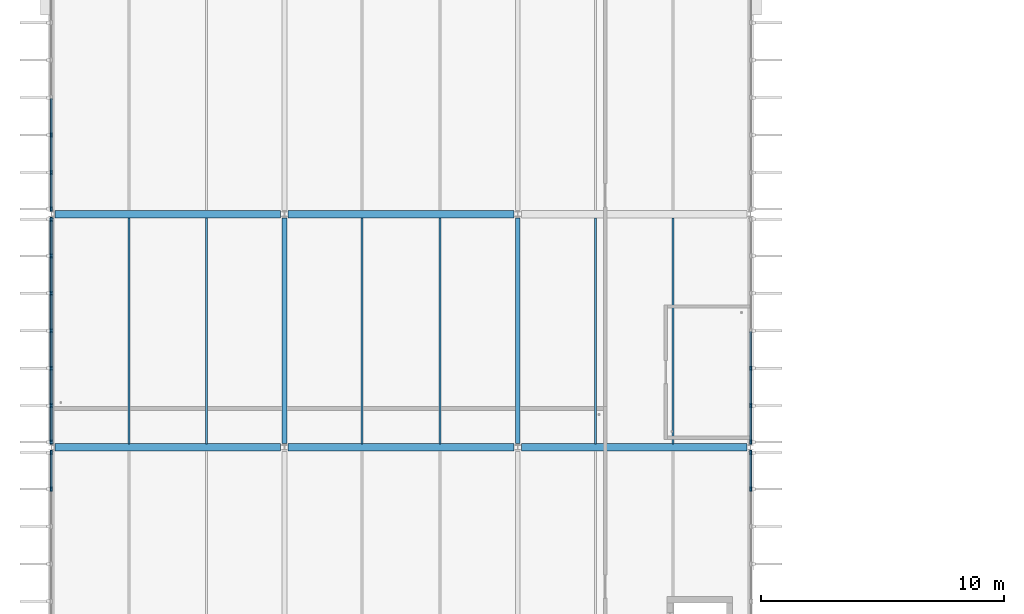
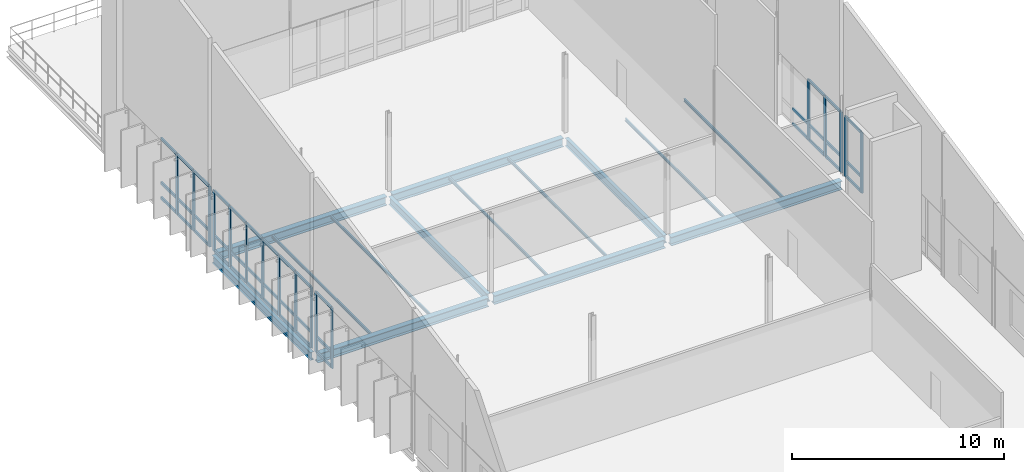
# One storey, part 35 of 93: 58 members, 14 beams, 5 elements without a shape of their own.
"""IFC4 building model written with IfcOpenShell, lengths in metres."""

from ifc_helpers import new_model, si_unit, direction, frame, origin, origin_2d, place, context, subcontext, project, spatial, rectangle, i_section, extrude, material, material_profile, profile_set, type_object, element, aggregate, save


model = new_model("IFC4")

# Units and contexts
model_context = context("Model", 3, precision=1e-05, world=origin(), true_north=direction((0.0, 1.0)))
body_context = subcontext(model_context, "Body", "Model", "MODEL_VIEW")
ifc_project = project(units=[si_unit("LENGTHUNIT", "METRE"), si_unit("AREAUNIT", "SQUARE_METRE"), si_unit("VOLUMEUNIT", "CUBIC_METRE"), si_unit("PLANEANGLEUNIT", "RADIAN"), si_unit("MASSUNIT", "GRAM", prefix="KILO")], contexts=[model_context])

# Site, building, storey
site_placement = place(None, origin())
site = spatial("IfcSite", under=ifc_project, at=site_placement, CompositionType="ELEMENT")
building_placement = place(site_placement, origin())
building = spatial("IfcBuilding", under=site, at=building_placement, Name="Dunescarp Central Library", CompositionType="ELEMENT")
storey_placement = place(building_placement, frame((0.0, 0.0, 14.10009765625)))
storey = spatial("IfcBuildingStorey", under=building, at=storey_placement, Name="L03", CompositionType="ELEMENT", Elevation=14.10009765625)

# Curtain wall, members
ifc_material_1 = material(Name="Marine-grade anodised aluminium 6063-T6", Category="aluminium")
curtain_wall_type = type_object("IfcCurtainWallType", Name="ARC-CW-STICK", PredefinedType="NOTDEFINED", material=ifc_material_1)
curtain_wall_1_placement = place(storey_placement, origin())
curtain_wall_1 = element("IfcCurtainWall", 1, at=curtain_wall_1_placement, inside=storey, type_object=curtain_wall_type, Name="L03 curtain wall CW-V4-130", PredefinedType="NOTDEFINED")
ifc_material_profile_1 = material_profile(ifc_material_1, rectangle(XDim=0.080078125, YDim=0.179931640625, at=origin_2d()), Name="AL 80x180")
ifc_profile_set_1 = profile_set([ifc_material_profile_1], Name="Marine-grade anodised aluminium 6063-T6")
member_type_1 = type_object("IfcMemberType", Name="ARC-CWM-180", PredefinedType="MULLION", material=ifc_profile_set_1)
member_1_placement = place(storey_placement, frame((0.0, 68.683349609375, 0.0), z_axis=(0.0, 0.0, 1.0), x_axis=(-1.0, 0.0, 0.0)))
member_1 = element("IfcMember", 2, at=member_1_placement, type_object=member_type_1, Name="CW-V4-130 mullion 6", PredefinedType="MULLION", context=body_context, shape_type="SweptSolid", body=[
    extrude(rectangle(XDim=0.080078125, YDim=0.179931640625, at=origin_2d()), origin(), (0.0, 0.0, 1.0), 3.48193359375),
])
member_2_placement = place(storey_placement, frame((0.0, 70.18505859375, 0.0), z_axis=(0.0, 0.0, 1.0), x_axis=(-1.0, 0.0, 0.0)))
member_2 = element("IfcMember", 3, at=member_2_placement, type_object=member_type_1, Name="CW-V4-130 mullion 7", PredefinedType="MULLION", context=body_context, shape_type="SweptSolid", body=[
    extrude(rectangle(XDim=0.080078125, YDim=0.179931640625, at=origin_2d()), origin(), (0.0, 0.0, 1.0), 3.48193359375),
])

curtain_wall_2_placement = place(storey_placement, origin())
curtain_wall_2 = element("IfcCurtainWall", 4, at=curtain_wall_2_placement, inside=storey, type_object=curtain_wall_type, Name="L03 curtain wall CW-V4-131", PredefinedType="NOTDEFINED")
member_3_placement = place(storey_placement, frame((28.800048828125, 70.18505859375, 0.0), z_axis=(0.0, 0.0, 1.0), x_axis=(1.0, 0.0, 0.0)))
member_3 = element("IfcMember", 5, at=member_3_placement, type_object=member_type_1, Name="CW-V4-131 mullion 1", PredefinedType="MULLION", context=body_context, shape_type="SweptSolid", body=[
    extrude(rectangle(XDim=0.080078125, YDim=0.179931640625, at=origin_2d()), origin(), (0.0, 0.0, 1.0), 3.48193359375),
])
member_4_placement = place(storey_placement, frame((28.800048828125, 68.683349609375, 0.0), z_axis=(0.0, 0.0, 1.0), x_axis=(1.0, 0.0, 0.0)))
member_4 = element("IfcMember", 6, at=member_4_placement, type_object=member_type_1, Name="CW-V4-131 mullion 2", PredefinedType="MULLION", context=body_context, shape_type="SweptSolid", body=[
    extrude(rectangle(XDim=0.080078125, YDim=0.179931640625, at=origin_2d()), origin(), (0.0, 0.0, 1.0), 3.48193359375),
])

curtain_wall_3_placement = place(storey_placement, origin())
curtain_wall_3 = element("IfcCurtainWall", 7, at=curtain_wall_3_placement, inside=storey, type_object=curtain_wall_type, Name="L03 curtain wall CW-V4-132", PredefinedType="NOTDEFINED")
member_5_placement = place(storey_placement, frame((0.0, 70.614990234375, 0.0), z_axis=(0.0, 0.0, 1.0), x_axis=(-1.0, 0.0, 0.0)))
member_5 = element("IfcMember", 8, at=member_5_placement, type_object=member_type_1, Name="CW-V4-132 mullion 1", PredefinedType="MULLION", context=body_context, shape_type="SweptSolid", body=[
    extrude(rectangle(XDim=0.080078125, YDim=0.179931640625, at=origin_2d()), origin(), (0.0, 0.0, 1.0), 3.48193359375),
])
member_6_placement = place(storey_placement, frame((0.0, 72.11669921875, 0.0), z_axis=(0.0, 0.0, 1.0), x_axis=(-1.0, 0.0, 0.0)))
member_6 = element("IfcMember", 9, at=member_6_placement, type_object=member_type_1, Name="CW-V4-132 mullion 2", PredefinedType="MULLION", context=body_context, shape_type="SweptSolid", body=[
    extrude(rectangle(XDim=0.080078125, YDim=0.179931640625, at=origin_2d()), origin(), (0.0, 0.0, 1.0), 3.48193359375),
])
member_7_placement = place(storey_placement, frame((0.0, 73.658447265625, 0.0), z_axis=(0.0, 0.0, 1.0), x_axis=(-1.0, 0.0, 0.0)))
member_7 = element("IfcMember", 10, at=member_7_placement, type_object=member_type_1, Name="CW-V4-132 mullion 3", PredefinedType="MULLION", context=body_context, shape_type="SweptSolid", body=[
    extrude(rectangle(XDim=0.080078125, YDim=0.179931640625, at=origin_2d()), origin(), (0.0, 0.0, 1.0), 3.48193359375),
])
member_8_placement = place(storey_placement, frame((0.0, 75.199951171875, 0.0), z_axis=(0.0, 0.0, 1.0), x_axis=(-1.0, 0.0, 0.0)))
member_8 = element("IfcMember", 11, at=member_8_placement, type_object=member_type_1, Name="CW-V4-132 mullion 4", PredefinedType="MULLION", context=body_context, shape_type="SweptSolid", body=[
    extrude(rectangle(XDim=0.080078125, YDim=0.179931640625, at=origin_2d()), origin(), (0.0, 0.0, 1.0), 3.48193359375),
])
member_9_placement = place(storey_placement, frame((0.0, 76.74169921875, 0.0), z_axis=(0.0, 0.0, 1.0), x_axis=(-1.0, 0.0, 0.0)))
member_9 = element("IfcMember", 12, at=member_9_placement, type_object=member_type_1, Name="CW-V4-132 mullion 5", PredefinedType="MULLION", context=body_context, shape_type="SweptSolid", body=[
    extrude(rectangle(XDim=0.080078125, YDim=0.179931640625, at=origin_2d()), origin(), (0.0, 0.0, 1.0), 3.48193359375),
])
member_10_placement = place(storey_placement, frame((0.0, 78.283447265625, 0.0), z_axis=(0.0, 0.0, 1.0), x_axis=(-1.0, 0.0, 0.0)))
member_10 = element("IfcMember", 13, at=member_10_placement, type_object=member_type_1, Name="CW-V4-132 mullion 6", PredefinedType="MULLION", context=body_context, shape_type="SweptSolid", body=[
    extrude(rectangle(XDim=0.080078125, YDim=0.179931640625, at=origin_2d()), origin(), (0.0, 0.0, 1.0), 3.48193359375),
])
member_11_placement = place(storey_placement, frame((0.0, 79.784912109375, 0.0), z_axis=(0.0, 0.0, 1.0), x_axis=(-1.0, 0.0, 0.0)))
member_11 = element("IfcMember", 14, at=member_11_placement, type_object=member_type_1, Name="CW-V4-132 mullion 7", PredefinedType="MULLION", context=body_context, shape_type="SweptSolid", body=[
    extrude(rectangle(XDim=0.080078125, YDim=0.179931640625, at=origin_2d()), origin(), (0.0, 0.0, 1.0), 3.48193359375),
])

curtain_wall_4_placement = place(storey_placement, origin())
curtain_wall_4 = element("IfcCurtainWall", 15, at=curtain_wall_4_placement, inside=storey, type_object=curtain_wall_type, Name="L03 curtain wall CW-V4-133", PredefinedType="NOTDEFINED")
member_12_placement = place(storey_placement, frame((28.800048828125, 73.658447265625, 0.0), z_axis=(0.0, 0.0, 1.0), x_axis=(1.0, 0.0, 0.0)))
member_12 = element("IfcMember", 16, at=member_12_placement, type_object=member_type_1, Name="CW-V4-133 mullion 5", PredefinedType="MULLION", context=body_context, shape_type="SweptSolid", body=[
    extrude(rectangle(XDim=0.080078125, YDim=0.179931640625, at=origin_2d()), origin(), (0.0, 0.0, 1.0), 3.48193359375),
])
member_13_placement = place(storey_placement, frame((28.800048828125, 72.11669921875, 0.0), z_axis=(0.0, 0.0, 1.0), x_axis=(1.0, 0.0, 0.0)))
member_13 = element("IfcMember", 17, at=member_13_placement, type_object=member_type_1, Name="CW-V4-133 mullion 6", PredefinedType="MULLION", context=body_context, shape_type="SweptSolid", body=[
    extrude(rectangle(XDim=0.080078125, YDim=0.179931640625, at=origin_2d()), origin(), (0.0, 0.0, 1.0), 3.48193359375),
])
member_14_placement = place(storey_placement, frame((28.800048828125, 70.614990234375, 0.0), z_axis=(0.0, 0.0, 1.0), x_axis=(1.0, 0.0, 0.0)))
member_14 = element("IfcMember", 18, at=member_14_placement, type_object=member_type_1, Name="CW-V4-133 mullion 7", PredefinedType="MULLION", context=body_context, shape_type="SweptSolid", body=[
    extrude(rectangle(XDim=0.080078125, YDim=0.179931640625, at=origin_2d()), origin(), (0.0, 0.0, 1.0), 3.48193359375),
])

curtain_wall_5_placement = place(storey_placement, origin())
curtain_wall_5 = element("IfcCurtainWall", 19, at=curtain_wall_5_placement, inside=storey, type_object=curtain_wall_type, Name="L03 curtain wall CW-V4-134", PredefinedType="NOTDEFINED")
member_15_placement = place(storey_placement, frame((0.0, 80.215087890625, 0.0), z_axis=(0.0, 0.0, 1.0), x_axis=(-1.0, 0.0, 0.0)))
member_15 = element("IfcMember", 20, at=member_15_placement, type_object=member_type_1, Name="CW-V4-134 mullion 1", PredefinedType="MULLION", context=body_context, shape_type="SweptSolid", body=[
    extrude(rectangle(XDim=0.080078125, YDim=0.179931640625, at=origin_2d()), origin(), (0.0, 0.0, 1.0), 3.48193359375),
])
member_16_placement = place(storey_placement, frame((0.0, 81.716552734375, 0.0), z_axis=(0.0, 0.0, 1.0), x_axis=(-1.0, 0.0, 0.0)))
member_16 = element("IfcMember", 21, at=member_16_placement, type_object=member_type_1, Name="CW-V4-134 mullion 2", PredefinedType="MULLION", context=body_context, shape_type="SweptSolid", body=[
    extrude(rectangle(XDim=0.080078125, YDim=0.179931640625, at=origin_2d()), origin(), (0.0, 0.0, 1.0), 3.48193359375),
])
member_17_placement = place(storey_placement, frame((0.0, 83.25830078125, 0.0), z_axis=(0.0, 0.0, 1.0), x_axis=(-1.0, 0.0, 0.0)))
member_17 = element("IfcMember", 22, at=member_17_placement, type_object=member_type_1, Name="CW-V4-134 mullion 3", PredefinedType="MULLION", context=body_context, shape_type="SweptSolid", body=[
    extrude(rectangle(XDim=0.080078125, YDim=0.179931640625, at=origin_2d()), origin(), (0.0, 0.0, 1.0), 3.48193359375),
])

# Member
ifc_material_profile_2 = material_profile(ifc_material_1, rectangle(XDim=0.080078125, YDim=0.14990234375, at=origin_2d()), Name="AL 80x150")
ifc_profile_set_2 = profile_set([ifc_material_profile_2], Name="Marine-grade anodised aluminium 6063-T6")
member_type_2 = type_object("IfcMemberType", Name="ARC-CWT-150", PredefinedType="USERDEFINED", material=ifc_profile_set_2)
member_18_placement = place(storey_placement, frame((0.0, 68.723388671875, 0.039794921875), z_axis=(0.0, 1.0, 0.0), x_axis=(-1.0, 0.0, 0.0)))
member_18 = element("IfcMember", 23, at=member_18_placement, type_object=member_type_2, Name="CW-V4-130 transom 6.1", ObjectType="TRANSOM", PredefinedType="USERDEFINED", context=body_context, shape_type="SweptSolid", body=[
    extrude(rectangle(XDim=0.080078125, YDim=0.14990234375, at=origin_2d()), origin(), (0.0, 0.0, 1.0), 1.421630859375),
])

member_19_placement = place(storey_placement, frame((0.0, 68.723388671875, 0.89990234375), z_axis=(0.0, 1.0, 0.0), x_axis=(-1.0, 0.0, 0.0)))
member_19 = element("IfcMember", 24, at=member_19_placement, type_object=member_type_2, Name="CW-V4-130 transom 6.2", ObjectType="TRANSOM", PredefinedType="USERDEFINED", context=body_context, shape_type="SweptSolid", body=[
    extrude(rectangle(XDim=0.080078125, YDim=0.14990234375, at=origin_2d()), origin(), (0.0, 0.0, 1.0), 1.421630859375),
])

member_20_placement = place(storey_placement, frame((0.0, 68.723388671875, 3.44189453125), z_axis=(0.0, 1.0, 0.0), x_axis=(-1.0, 0.0, 0.0)))
member_20 = element("IfcMember", 25, at=member_20_placement, type_object=member_type_2, Name="CW-V4-130 transom 6.3", ObjectType="TRANSOM", PredefinedType="USERDEFINED", context=body_context, shape_type="SweptSolid", body=[
    extrude(rectangle(XDim=0.080078125, YDim=0.14990234375, at=origin_2d()), origin(), (0.0, 0.0, 1.0), 1.421630859375),
])

aggregate(curtain_wall_1, [member_1, member_2, member_18, member_19, member_20])

member_21_placement = place(storey_placement, frame((28.800048828125, 70.14501953125, 0.039794921875), z_axis=(0.0, -1.0, 0.0), x_axis=(1.0, 0.0, 0.0)))
member_21 = element("IfcMember", 26, at=member_21_placement, type_object=member_type_2, Name="CW-V4-131 transom 1.1", ObjectType="TRANSOM", PredefinedType="USERDEFINED", context=body_context, shape_type="SweptSolid", body=[
    extrude(rectangle(XDim=0.080078125, YDim=0.14990234375, at=origin_2d()), origin(), (0.0, 0.0, 1.0), 1.421630859375),
])

member_22_placement = place(storey_placement, frame((28.800048828125, 70.14501953125, 0.89990234375), z_axis=(0.0, -1.0, 0.0), x_axis=(1.0, 0.0, 0.0)))
member_22 = element("IfcMember", 27, at=member_22_placement, type_object=member_type_2, Name="CW-V4-131 transom 1.2", ObjectType="TRANSOM", PredefinedType="USERDEFINED", context=body_context, shape_type="SweptSolid", body=[
    extrude(rectangle(XDim=0.080078125, YDim=0.14990234375, at=origin_2d()), origin(), (0.0, 0.0, 1.0), 1.421630859375),
])

member_23_placement = place(storey_placement, frame((28.800048828125, 70.14501953125, 3.44189453125), z_axis=(0.0, -1.0, 0.0), x_axis=(1.0, 0.0, 0.0)))
member_23 = element("IfcMember", 28, at=member_23_placement, type_object=member_type_2, Name="CW-V4-131 transom 1.3", ObjectType="TRANSOM", PredefinedType="USERDEFINED", context=body_context, shape_type="SweptSolid", body=[
    extrude(rectangle(XDim=0.080078125, YDim=0.14990234375, at=origin_2d()), origin(), (0.0, 0.0, 1.0), 1.421630859375),
])

aggregate(curtain_wall_2, [member_3, member_4, member_21, member_22, member_23])

member_24_placement = place(storey_placement, frame((0.0, 70.655029296875, 0.039794921875), z_axis=(0.0, 1.0, 0.0), x_axis=(-1.0, 0.0, 0.0)))
member_24 = element("IfcMember", 29, at=member_24_placement, type_object=member_type_2, Name="CW-V4-132 transom 1.1", ObjectType="TRANSOM", PredefinedType="USERDEFINED", context=body_context, shape_type="SweptSolid", body=[
    extrude(rectangle(XDim=0.080078125, YDim=0.14990234375, at=origin_2d()), origin(), (0.0, 0.0, 1.0), 1.421630859375),
])

member_25_placement = place(storey_placement, frame((0.0, 70.655029296875, 0.89990234375), z_axis=(0.0, 1.0, 0.0), x_axis=(-1.0, 0.0, 0.0)))
member_25 = element("IfcMember", 30, at=member_25_placement, type_object=member_type_2, Name="CW-V4-132 transom 1.2", ObjectType="TRANSOM", PredefinedType="USERDEFINED", context=body_context, shape_type="SweptSolid", body=[
    extrude(rectangle(XDim=0.080078125, YDim=0.14990234375, at=origin_2d()), origin(), (0.0, 0.0, 1.0), 1.421630859375),
])

member_26_placement = place(storey_placement, frame((0.0, 70.655029296875, 3.44189453125), z_axis=(0.0, 1.0, 0.0), x_axis=(-1.0, 0.0, 0.0)))
member_26 = element("IfcMember", 31, at=member_26_placement, type_object=member_type_2, Name="CW-V4-132 transom 1.3", ObjectType="TRANSOM", PredefinedType="USERDEFINED", context=body_context, shape_type="SweptSolid", body=[
    extrude(rectangle(XDim=0.080078125, YDim=0.14990234375, at=origin_2d()), origin(), (0.0, 0.0, 1.0), 1.421630859375),
])

member_27_placement = place(storey_placement, frame((0.0, 72.15673828125, 0.039794921875), z_axis=(0.0, 1.0, 0.0), x_axis=(-1.0, 0.0, 0.0)))
member_27 = element("IfcMember", 32, at=member_27_placement, type_object=member_type_2, Name="CW-V4-132 transom 2.1", ObjectType="TRANSOM", PredefinedType="USERDEFINED", context=body_context, shape_type="SweptSolid", body=[
    extrude(rectangle(XDim=0.080078125, YDim=0.14990234375, at=origin_2d()), origin(), (0.0, 0.0, 1.0), 1.461669921875),
])

member_28_placement = place(storey_placement, frame((0.0, 72.15673828125, 0.89990234375), z_axis=(0.0, 1.0, 0.0), x_axis=(-1.0, 0.0, 0.0)))
member_28 = element("IfcMember", 33, at=member_28_placement, type_object=member_type_2, Name="CW-V4-132 transom 2.2", ObjectType="TRANSOM", PredefinedType="USERDEFINED", context=body_context, shape_type="SweptSolid", body=[
    extrude(rectangle(XDim=0.080078125, YDim=0.14990234375, at=origin_2d()), origin(), (0.0, 0.0, 1.0), 1.461669921875),
])

member_29_placement = place(storey_placement, frame((0.0, 72.15673828125, 3.44189453125), z_axis=(0.0, 1.0, 0.0), x_axis=(-1.0, 0.0, 0.0)))
member_29 = element("IfcMember", 34, at=member_29_placement, type_object=member_type_2, Name="CW-V4-132 transom 2.3", ObjectType="TRANSOM", PredefinedType="USERDEFINED", context=body_context, shape_type="SweptSolid", body=[
    extrude(rectangle(XDim=0.080078125, YDim=0.14990234375, at=origin_2d()), origin(), (0.0, 0.0, 1.0), 1.461669921875),
])

member_30_placement = place(storey_placement, frame((0.0, 73.6982421875, 0.039794921875), z_axis=(0.0, 1.0, 0.0), x_axis=(-1.0, 0.0, 0.0)))
member_30 = element("IfcMember", 35, at=member_30_placement, type_object=member_type_2, Name="CW-V4-132 transom 3.1", ObjectType="TRANSOM", PredefinedType="USERDEFINED", context=body_context, shape_type="SweptSolid", body=[
    extrude(rectangle(XDim=0.080078125, YDim=0.14990234375, at=origin_2d()), origin(), (0.0, 0.0, 1.0), 1.461669921875),
])

member_31_placement = place(storey_placement, frame((0.0, 73.6982421875, 0.89990234375), z_axis=(0.0, 1.0, 0.0), x_axis=(-1.0, 0.0, 0.0)))
member_31 = element("IfcMember", 36, at=member_31_placement, type_object=member_type_2, Name="CW-V4-132 transom 3.2", ObjectType="TRANSOM", PredefinedType="USERDEFINED", context=body_context, shape_type="SweptSolid", body=[
    extrude(rectangle(XDim=0.080078125, YDim=0.14990234375, at=origin_2d()), origin(), (0.0, 0.0, 1.0), 1.461669921875),
])

member_32_placement = place(storey_placement, frame((0.0, 73.6982421875, 3.44189453125), z_axis=(0.0, 1.0, 0.0), x_axis=(-1.0, 0.0, 0.0)))
member_32 = element("IfcMember", 37, at=member_32_placement, type_object=member_type_2, Name="CW-V4-132 transom 3.3", ObjectType="TRANSOM", PredefinedType="USERDEFINED", context=body_context, shape_type="SweptSolid", body=[
    extrude(rectangle(XDim=0.080078125, YDim=0.14990234375, at=origin_2d()), origin(), (0.0, 0.0, 1.0), 1.461669921875),
])

member_33_placement = place(storey_placement, frame((0.0, 75.239990234375, 0.039794921875), z_axis=(0.0, 1.0, 0.0), x_axis=(-1.0, 0.0, 0.0)))
member_33 = element("IfcMember", 38, at=member_33_placement, type_object=member_type_2, Name="CW-V4-132 transom 4.1", ObjectType="TRANSOM", PredefinedType="USERDEFINED", context=body_context, shape_type="SweptSolid", body=[
    extrude(rectangle(XDim=0.080078125, YDim=0.14990234375, at=origin_2d()), origin(), (0.0, 0.0, 1.0), 1.461669921875),
])

member_34_placement = place(storey_placement, frame((0.0, 75.239990234375, 0.89990234375), z_axis=(0.0, 1.0, 0.0), x_axis=(-1.0, 0.0, 0.0)))
member_34 = element("IfcMember", 39, at=member_34_placement, type_object=member_type_2, Name="CW-V4-132 transom 4.2", ObjectType="TRANSOM", PredefinedType="USERDEFINED", context=body_context, shape_type="SweptSolid", body=[
    extrude(rectangle(XDim=0.080078125, YDim=0.14990234375, at=origin_2d()), origin(), (0.0, 0.0, 1.0), 1.461669921875),
])

member_35_placement = place(storey_placement, frame((0.0, 75.239990234375, 3.44189453125), z_axis=(0.0, 1.0, 0.0), x_axis=(-1.0, 0.0, 0.0)))
member_35 = element("IfcMember", 40, at=member_35_placement, type_object=member_type_2, Name="CW-V4-132 transom 4.3", ObjectType="TRANSOM", PredefinedType="USERDEFINED", context=body_context, shape_type="SweptSolid", body=[
    extrude(rectangle(XDim=0.080078125, YDim=0.14990234375, at=origin_2d()), origin(), (0.0, 0.0, 1.0), 1.461669921875),
])

member_36_placement = place(storey_placement, frame((0.0, 76.78173828125, 0.039794921875), z_axis=(0.0, 1.0, 0.0), x_axis=(-1.0, 0.0, 0.0)))
member_36 = element("IfcMember", 41, at=member_36_placement, type_object=member_type_2, Name="CW-V4-132 transom 5.1", ObjectType="TRANSOM", PredefinedType="USERDEFINED", context=body_context, shape_type="SweptSolid", body=[
    extrude(rectangle(XDim=0.080078125, YDim=0.14990234375, at=origin_2d()), origin(), (0.0, 0.0, 1.0), 1.461669921875),
])

member_37_placement = place(storey_placement, frame((0.0, 76.78173828125, 0.89990234375), z_axis=(0.0, 1.0, 0.0), x_axis=(-1.0, 0.0, 0.0)))
member_37 = element("IfcMember", 42, at=member_37_placement, type_object=member_type_2, Name="CW-V4-132 transom 5.2", ObjectType="TRANSOM", PredefinedType="USERDEFINED", context=body_context, shape_type="SweptSolid", body=[
    extrude(rectangle(XDim=0.080078125, YDim=0.14990234375, at=origin_2d()), origin(), (0.0, 0.0, 1.0), 1.461669921875),
])

member_38_placement = place(storey_placement, frame((0.0, 76.78173828125, 3.44189453125), z_axis=(0.0, 1.0, 0.0), x_axis=(-1.0, 0.0, 0.0)))
member_38 = element("IfcMember", 43, at=member_38_placement, type_object=member_type_2, Name="CW-V4-132 transom 5.3", ObjectType="TRANSOM", PredefinedType="USERDEFINED", context=body_context, shape_type="SweptSolid", body=[
    extrude(rectangle(XDim=0.080078125, YDim=0.14990234375, at=origin_2d()), origin(), (0.0, 0.0, 1.0), 1.461669921875),
])

member_39_placement = place(storey_placement, frame((0.0, 78.3232421875, 0.039794921875), z_axis=(0.0, 1.0, 0.0), x_axis=(-1.0, 0.0, 0.0)))
member_39 = element("IfcMember", 44, at=member_39_placement, type_object=member_type_2, Name="CW-V4-132 transom 6.1", ObjectType="TRANSOM", PredefinedType="USERDEFINED", context=body_context, shape_type="SweptSolid", body=[
    extrude(rectangle(XDim=0.080078125, YDim=0.14990234375, at=origin_2d()), origin(), (0.0, 0.0, 1.0), 1.421875),
])

member_40_placement = place(storey_placement, frame((0.0, 78.3232421875, 0.89990234375), z_axis=(0.0, 1.0, 0.0), x_axis=(-1.0, 0.0, 0.0)))
member_40 = element("IfcMember", 45, at=member_40_placement, type_object=member_type_2, Name="CW-V4-132 transom 6.2", ObjectType="TRANSOM", PredefinedType="USERDEFINED", context=body_context, shape_type="SweptSolid", body=[
    extrude(rectangle(XDim=0.080078125, YDim=0.14990234375, at=origin_2d()), origin(), (0.0, 0.0, 1.0), 1.421875),
])

member_41_placement = place(storey_placement, frame((0.0, 78.3232421875, 3.44189453125), z_axis=(0.0, 1.0, 0.0), x_axis=(-1.0, 0.0, 0.0)))
member_41 = element("IfcMember", 46, at=member_41_placement, type_object=member_type_2, Name="CW-V4-132 transom 6.3", ObjectType="TRANSOM", PredefinedType="USERDEFINED", context=body_context, shape_type="SweptSolid", body=[
    extrude(rectangle(XDim=0.080078125, YDim=0.14990234375, at=origin_2d()), origin(), (0.0, 0.0, 1.0), 1.421875),
])

aggregate(curtain_wall_3, [member_5, member_6, member_7, member_8, member_9, member_10, member_11, member_24, member_25, member_26, member_27, member_28, member_29, member_30, member_31, member_32, member_33, member_34, member_35, member_36, member_37, member_38, member_39, member_40, member_41])

member_42_placement = place(storey_placement, frame((28.800048828125, 75.159912109375, 0.039794921875), z_axis=(0.0, -1.0, 0.0), x_axis=(1.0, 0.0, 0.0)))
member_42 = element("IfcMember", 47, at=member_42_placement, type_object=member_type_2, Name="CW-V4-133 transom 4.1", ObjectType="TRANSOM", PredefinedType="USERDEFINED", context=body_context, shape_type="SweptSolid", body=[
    extrude(rectangle(XDim=0.080078125, YDim=0.14990234375, at=origin_2d()), origin(), (0.0, 0.0, 1.0), 1.461669921875),
])

member_43_placement = place(storey_placement, frame((28.800048828125, 75.159912109375, 0.89990234375), z_axis=(0.0, -1.0, 0.0), x_axis=(1.0, 0.0, 0.0)))
member_43 = element("IfcMember", 48, at=member_43_placement, type_object=member_type_2, Name="CW-V4-133 transom 4.2", ObjectType="TRANSOM", PredefinedType="USERDEFINED", context=body_context, shape_type="SweptSolid", body=[
    extrude(rectangle(XDim=0.080078125, YDim=0.14990234375, at=origin_2d()), origin(), (0.0, 0.0, 1.0), 1.461669921875),
])

member_44_placement = place(storey_placement, frame((28.800048828125, 73.618408203125, 0.039794921875), z_axis=(0.0, -1.0, 0.0), x_axis=(1.0, 0.0, 0.0)))
member_44 = element("IfcMember", 49, at=member_44_placement, type_object=member_type_2, Name="CW-V4-133 transom 5.1", ObjectType="TRANSOM", PredefinedType="USERDEFINED", context=body_context, shape_type="SweptSolid", body=[
    extrude(rectangle(XDim=0.080078125, YDim=0.14990234375, at=origin_2d()), origin(), (0.0, 0.0, 1.0), 1.461669921875),
])

member_45_placement = place(storey_placement, frame((28.800048828125, 73.618408203125, 0.89990234375), z_axis=(0.0, -1.0, 0.0), x_axis=(1.0, 0.0, 0.0)))
member_45 = element("IfcMember", 50, at=member_45_placement, type_object=member_type_2, Name="CW-V4-133 transom 5.2", ObjectType="TRANSOM", PredefinedType="USERDEFINED", context=body_context, shape_type="SweptSolid", body=[
    extrude(rectangle(XDim=0.080078125, YDim=0.14990234375, at=origin_2d()), origin(), (0.0, 0.0, 1.0), 1.461669921875),
])

member_46_placement = place(storey_placement, frame((28.800048828125, 73.618408203125, 3.44189453125), z_axis=(0.0, -1.0, 0.0), x_axis=(1.0, 0.0, 0.0)))
member_46 = element("IfcMember", 51, at=member_46_placement, type_object=member_type_2, Name="CW-V4-133 transom 5.3", ObjectType="TRANSOM", PredefinedType="USERDEFINED", context=body_context, shape_type="SweptSolid", body=[
    extrude(rectangle(XDim=0.080078125, YDim=0.14990234375, at=origin_2d()), origin(), (0.0, 0.0, 1.0), 1.461669921875),
])

member_47_placement = place(storey_placement, frame((28.800048828125, 72.07666015625, 0.039794921875), z_axis=(0.0, -1.0, 0.0), x_axis=(1.0, 0.0, 0.0)))
member_47 = element("IfcMember", 52, at=member_47_placement, type_object=member_type_2, Name="CW-V4-133 transom 6.1", ObjectType="TRANSOM", PredefinedType="USERDEFINED", context=body_context, shape_type="SweptSolid", body=[
    extrude(rectangle(XDim=0.080078125, YDim=0.14990234375, at=origin_2d()), origin(), (0.0, 0.0, 1.0), 1.421630859375),
])

member_48_placement = place(storey_placement, frame((28.800048828125, 72.07666015625, 0.89990234375), z_axis=(0.0, -1.0, 0.0), x_axis=(1.0, 0.0, 0.0)))
member_48 = element("IfcMember", 53, at=member_48_placement, type_object=member_type_2, Name="CW-V4-133 transom 6.2", ObjectType="TRANSOM", PredefinedType="USERDEFINED", context=body_context, shape_type="SweptSolid", body=[
    extrude(rectangle(XDim=0.080078125, YDim=0.14990234375, at=origin_2d()), origin(), (0.0, 0.0, 1.0), 1.421630859375),
])

member_49_placement = place(storey_placement, frame((28.800048828125, 72.07666015625, 3.44189453125), z_axis=(0.0, -1.0, 0.0), x_axis=(1.0, 0.0, 0.0)))
member_49 = element("IfcMember", 54, at=member_49_placement, type_object=member_type_2, Name="CW-V4-133 transom 6.3", ObjectType="TRANSOM", PredefinedType="USERDEFINED", context=body_context, shape_type="SweptSolid", body=[
    extrude(rectangle(XDim=0.080078125, YDim=0.14990234375, at=origin_2d()), origin(), (0.0, 0.0, 1.0), 1.421630859375),
])

aggregate(curtain_wall_4, [member_12, member_13, member_14, member_42, member_43, member_44, member_45, member_46, member_47, member_48, member_49])

member_50_placement = place(storey_placement, frame((0.0, 80.2548828125, 0.039794921875), z_axis=(0.0, 1.0, 0.0), x_axis=(-1.0, 0.0, 0.0)))
member_50 = element("IfcMember", 55, at=member_50_placement, type_object=member_type_2, Name="CW-V4-134 transom 1.1", ObjectType="TRANSOM", PredefinedType="USERDEFINED", context=body_context, shape_type="SweptSolid", body=[
    extrude(rectangle(XDim=0.080078125, YDim=0.14990234375, at=origin_2d()), origin(), (0.0, 0.0, 1.0), 1.421875),
])

member_51_placement = place(storey_placement, frame((0.0, 80.2548828125, 0.89990234375), z_axis=(0.0, 1.0, 0.0), x_axis=(-1.0, 0.0, 0.0)))
member_51 = element("IfcMember", 56, at=member_51_placement, type_object=member_type_2, Name="CW-V4-134 transom 1.2", ObjectType="TRANSOM", PredefinedType="USERDEFINED", context=body_context, shape_type="SweptSolid", body=[
    extrude(rectangle(XDim=0.080078125, YDim=0.14990234375, at=origin_2d()), origin(), (0.0, 0.0, 1.0), 1.421875),
])

member_52_placement = place(storey_placement, frame((0.0, 80.2548828125, 3.44189453125), z_axis=(0.0, 1.0, 0.0), x_axis=(-1.0, 0.0, 0.0)))
member_52 = element("IfcMember", 57, at=member_52_placement, type_object=member_type_2, Name="CW-V4-134 transom 1.3", ObjectType="TRANSOM", PredefinedType="USERDEFINED", context=body_context, shape_type="SweptSolid", body=[
    extrude(rectangle(XDim=0.080078125, YDim=0.14990234375, at=origin_2d()), origin(), (0.0, 0.0, 1.0), 1.421875),
])

member_53_placement = place(storey_placement, frame((0.0, 81.756591796875, 0.039794921875), z_axis=(0.0, 1.0, 0.0), x_axis=(-1.0, 0.0, 0.0)))
member_53 = element("IfcMember", 58, at=member_53_placement, type_object=member_type_2, Name="CW-V4-134 transom 2.1", ObjectType="TRANSOM", PredefinedType="USERDEFINED", context=body_context, shape_type="SweptSolid", body=[
    extrude(rectangle(XDim=0.080078125, YDim=0.14990234375, at=origin_2d()), origin(), (0.0, 0.0, 1.0), 1.461669921875),
])

member_54_placement = place(storey_placement, frame((0.0, 81.756591796875, 0.89990234375), z_axis=(0.0, 1.0, 0.0), x_axis=(-1.0, 0.0, 0.0)))
member_54 = element("IfcMember", 59, at=member_54_placement, type_object=member_type_2, Name="CW-V4-134 transom 2.2", ObjectType="TRANSOM", PredefinedType="USERDEFINED", context=body_context, shape_type="SweptSolid", body=[
    extrude(rectangle(XDim=0.080078125, YDim=0.14990234375, at=origin_2d()), origin(), (0.0, 0.0, 1.0), 1.461669921875),
])

member_55_placement = place(storey_placement, frame((0.0, 81.756591796875, 3.44189453125), z_axis=(0.0, 1.0, 0.0), x_axis=(-1.0, 0.0, 0.0)))
member_55 = element("IfcMember", 60, at=member_55_placement, type_object=member_type_2, Name="CW-V4-134 transom 2.3", ObjectType="TRANSOM", PredefinedType="USERDEFINED", context=body_context, shape_type="SweptSolid", body=[
    extrude(rectangle(XDim=0.080078125, YDim=0.14990234375, at=origin_2d()), origin(), (0.0, 0.0, 1.0), 1.461669921875),
])

member_56_placement = place(storey_placement, frame((0.0, 83.29833984375, 0.039794921875), z_axis=(0.0, 1.0, 0.0), x_axis=(-1.0, 0.0, 0.0)))
member_56 = element("IfcMember", 61, at=member_56_placement, type_object=member_type_2, Name="CW-V4-134 transom 3.1", ObjectType="TRANSOM", PredefinedType="USERDEFINED", context=body_context, shape_type="SweptSolid", body=[
    extrude(rectangle(XDim=0.080078125, YDim=0.14990234375, at=origin_2d()), origin(), (0.0, 0.0, 1.0), 1.461669921875),
])

member_57_placement = place(storey_placement, frame((0.0, 83.29833984375, 0.89990234375), z_axis=(0.0, 1.0, 0.0), x_axis=(-1.0, 0.0, 0.0)))
member_57 = element("IfcMember", 62, at=member_57_placement, type_object=member_type_2, Name="CW-V4-134 transom 3.2", ObjectType="TRANSOM", PredefinedType="USERDEFINED", context=body_context, shape_type="SweptSolid", body=[
    extrude(rectangle(XDim=0.080078125, YDim=0.14990234375, at=origin_2d()), origin(), (0.0, 0.0, 1.0), 1.461669921875),
])

member_58_placement = place(storey_placement, frame((0.0, 83.29833984375, 3.44189453125), z_axis=(0.0, 1.0, 0.0), x_axis=(-1.0, 0.0, 0.0)))
member_58 = element("IfcMember", 63, at=member_58_placement, type_object=member_type_2, Name="CW-V4-134 transom 3.3", ObjectType="TRANSOM", PredefinedType="USERDEFINED", context=body_context, shape_type="SweptSolid", body=[
    extrude(rectangle(XDim=0.080078125, YDim=0.14990234375, at=origin_2d()), origin(), (0.0, 0.0, 1.0), 1.461669921875),
])

aggregate(curtain_wall_5, [member_15, member_16, member_17, member_50, member_51, member_52, member_53, member_54, member_55, member_56, member_57, member_58])

# Beams
ifc_material_2 = material(Name="Steel S355JR", Category="steel")
ifc_material_profile_3 = material_profile(ifc_material_2, i_section(OverallWidth=0.300048828125, OverallDepth=0.5, WebThickness=0.014404296875, FlangeThickness=0.028076171875, at=origin_2d()), Name="HEB 500")
ifc_profile_set_3 = profile_set([ifc_material_profile_3], Name="Steel S355JR")
beam_type_1 = type_object("IfcBeamType", Name="STR-BM-HEB500", PredefinedType="BEAM", material=ifc_profile_set_3)
for number, where, z_axis, x_axis, name in (
    (64, (0.153076171875, 70.39990234375, -0.489990234375), (1.0, 0.0, 0.0), (0.0, 1.0, 0.0), "L03 girder BM-L03-1030"),
    (65, (0.153076171875, 80.0, -0.489990234375), (1.0, 0.0, 0.0), (0.0, 1.0, 0.0), "L03 girder BM-L03-1035"),
):
    element("IfcBeam", number, at=place(storey_placement, frame(where, z_axis=z_axis, x_axis=x_axis)), inside=storey, type_object=beam_type_1, Name=name, PredefinedType="BEAM", context=body_context, shape_type="SweptSolid", body=[
        extrude(i_section(OverallWidth=0.300048828125, OverallDepth=0.5, WebThickness=0.014404296875, FlangeThickness=0.028076171875, at=origin_2d()), origin(), (0.0, 0.0, 1.0), 9.2939453125),
    ])
for number, where, z_axis, x_axis, name in (
    (66, (9.7529296875, 70.39990234375, -0.489990234375), (1.0, 0.0, 0.0), (0.0, 1.0, 0.0), "L03 girder BM-L03-1046"),
    (67, (9.7529296875, 80.0, -0.489990234375), (1.0, 0.0, 0.0), (0.0, 1.0, 0.0), "L03 girder BM-L03-1050"),
):
    element("IfcBeam", number, at=place(storey_placement, frame(where, z_axis=z_axis, x_axis=x_axis)), inside=storey, type_object=beam_type_1, Name=name, PredefinedType="BEAM", context=body_context, shape_type="SweptSolid", body=[
        extrude(i_section(OverallWidth=0.300048828125, OverallDepth=0.5, WebThickness=0.014404296875, FlangeThickness=0.028076171875, at=origin_2d()), origin(), (0.0, 0.0, 1.0), 9.294189453125),
    ])
beam_placement = place(storey_placement, frame((19.35302734375, 70.39990234375, -0.489990234375), z_axis=(1.0, 0.0, 0.0), x_axis=(0.0, 1.0, 0.0)))
element("IfcBeam", 68, at=beam_placement, inside=storey, type_object=beam_type_1, Name="L03 girder BM-L03-1059", PredefinedType="BEAM", context=body_context, shape_type="SweptSolid", body=[
    extrude(i_section(OverallWidth=0.300048828125, OverallDepth=0.5, WebThickness=0.014404296875, FlangeThickness=0.028076171875, at=origin_2d()), origin(), (0.0, 0.0, 1.0), 9.2939453125),
])
ifc_material_profile_4 = material_profile(ifc_material_2, i_section(OverallWidth=0.18994140625, OverallDepth=0.453369140625, WebThickness=0.008544921875, FlangeThickness=0.0126953125, at=origin_2d()), Name="UB 457x191x67")
ifc_profile_set_4 = profile_set([ifc_material_profile_4], Name="Steel S355JR")
beam_type_2 = type_object("IfcBeamType", Name="STR-BM-UB457", PredefinedType="BEAM", material=ifc_profile_set_4)
for number, where, z_axis, x_axis, name in (
    (69, (0.0, 70.56103515625, -0.467041015625), (0.0, 1.0, 0.0), (-1.0, 0.0, 0.0), "L03 girder BM-L03-1036"),
    (70, (9.60009765625, 70.56103515625, -0.467041015625), (0.0, 1.0, 0.0), (-1.0, 0.0, 0.0), "L03 girder BM-L03-1037"),
    (71, (19.199951171875, 70.56103515625, -0.467041015625), (0.0, 1.0, 0.0), (-1.0, 0.0, 0.0), "L03 girder BM-L03-1051"),
):
    element("IfcBeam", number, at=place(storey_placement, frame(where, z_axis=z_axis, x_axis=x_axis)), inside=storey, type_object=beam_type_2, Name=name, PredefinedType="BEAM", context=body_context, shape_type="SweptSolid", body=[
        extrude(i_section(OverallWidth=0.18994140625, OverallDepth=0.453369140625, WebThickness=0.008544921875, FlangeThickness=0.0126953125, at=origin_2d()), origin(), (0.0, 0.0, 1.0), 9.278076171875),
    ])
ifc_material_profile_5 = material_profile(ifc_material_2, i_section(OverallWidth=0.08203125, OverallDepth=0.159912109375, WebThickness=0.0048828125, FlangeThickness=0.00732421875, at=origin_2d()), Name="IPE 160")
ifc_profile_set_5 = profile_set([ifc_material_profile_5], Name="Steel S355JR")
beam_type_3 = type_object("IfcBeamType", Name="STR-JS-IPE160", PredefinedType="JOIST", material=ifc_profile_set_5)
for number, where, z_axis, x_axis, name in (
    (72, (3.199951171875, 70.548095703125, -0.320068359375), (0.0, 1.0, 0.0), (-1.0, 0.0, 0.0), "L03 joist JS-L03-1038"),
    (73, (6.39990234375, 70.548095703125, -0.320068359375), (0.0, 1.0, 0.0), (-1.0, 0.0, 0.0), "L03 joist JS-L03-1039"),
    (74, (12.800048828125, 70.548095703125, -0.320068359375), (0.0, 1.0, 0.0), (-1.0, 0.0, 0.0), "L03 joist JS-L03-1052"),
    (75, (16.0, 70.548095703125, -0.320068359375), (0.0, 1.0, 0.0), (-1.0, 0.0, 0.0), "L03 joist JS-L03-1053"),
    (76, (22.39990234375, 70.548095703125, -0.320068359375), (0.0, 1.0, 0.0), (-1.0, 0.0, 0.0), "L03 joist JS-L03-1065"),
    (77, (25.60009765625, 70.548095703125, -0.320068359375), (0.0, 1.0, 0.0), (-1.0, 0.0, 0.0), "L03 joist JS-L03-1066"),
):
    element("IfcBeam", number, at=place(storey_placement, frame(where, z_axis=z_axis, x_axis=x_axis)), inside=storey, type_object=beam_type_3, Name=name, PredefinedType="JOIST", context=body_context, shape_type="SweptSolid", body=[
        extrude(i_section(OverallWidth=0.08203125, OverallDepth=0.159912109375, WebThickness=0.0048828125, FlangeThickness=0.00732421875, at=origin_2d()), origin(), (0.0, 0.0, 1.0), 9.303955078125),
    ])

save(model, "model.ifc")
